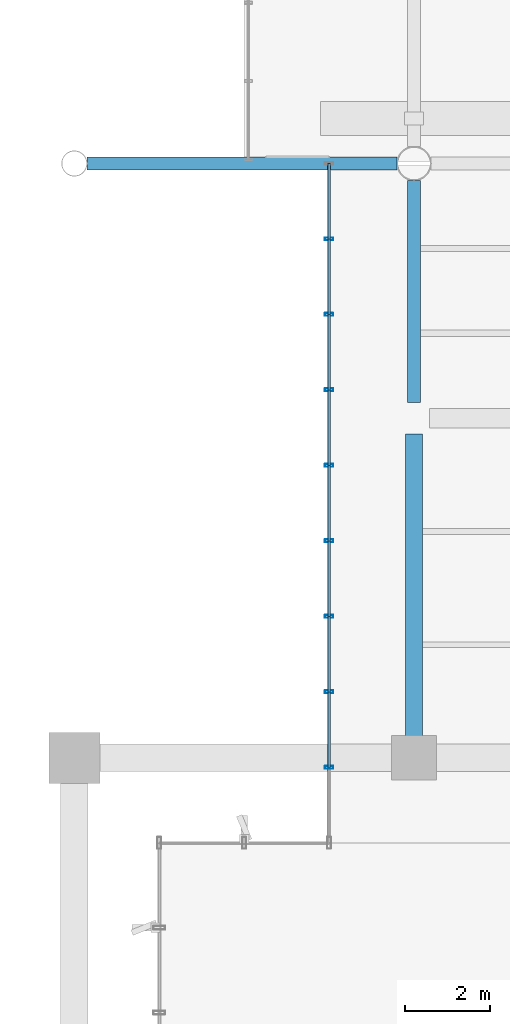
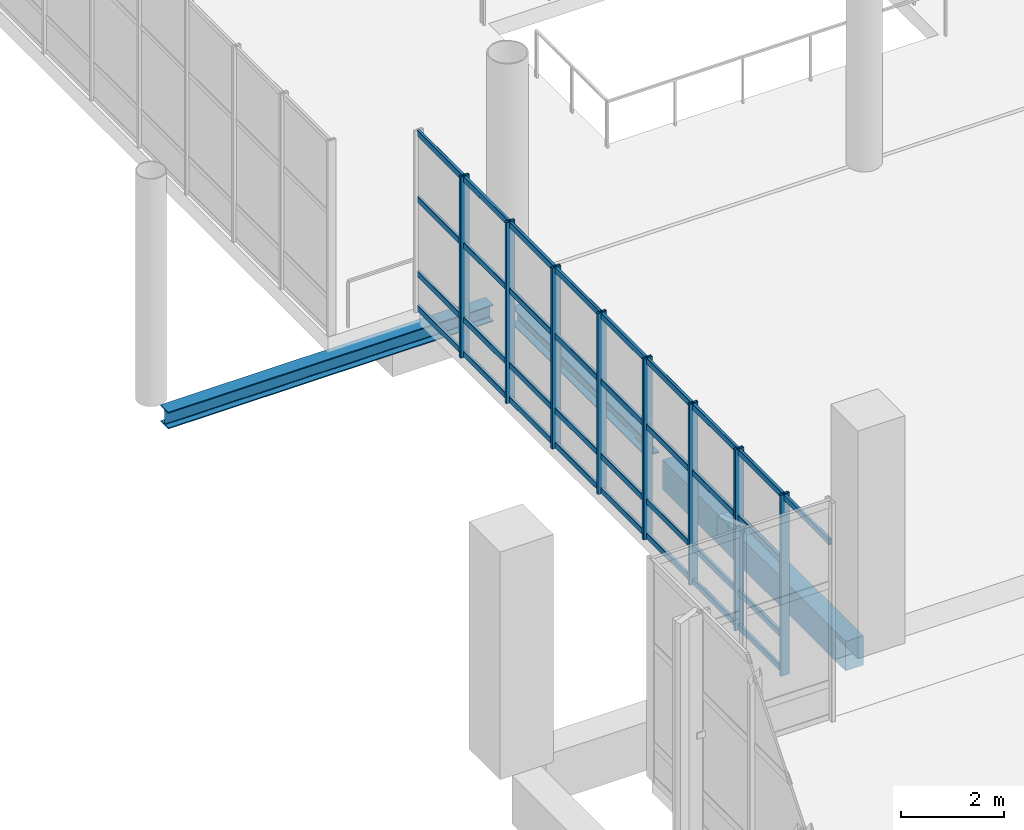
# One storey, part 49 of 176: 41 members, 3 beams, 1 element without a shape of its own.
"""IFC4 building model written with IfcOpenShell, lengths in metres."""

from ifc_helpers import new_model, si_unit, direction, frame, origin, origin_2d, place, context, subcontext, project, spatial, rectangle, hollow_rectangle, i_section, extrude, material, layer, layer_set, material_profile, profile_set, type_object, element, aggregate, save


model = new_model("IFC4")

# Units and contexts
model_context = context("Model", 3, precision=1e-05, world=origin(), true_north=direction((0.0, 1.0)))
body_context = subcontext(model_context, "Body", "Model", "MODEL_VIEW")
ifc_project = project(units=[si_unit("LENGTHUNIT", "METRE"), si_unit("AREAUNIT", "SQUARE_METRE"), si_unit("VOLUMEUNIT", "CUBIC_METRE"), si_unit("PLANEANGLEUNIT", "RADIAN"), si_unit("MASSUNIT", "GRAM", prefix="KILO")], contexts=[model_context])

# Site, building, storey
site_placement = place(None, origin())
site = spatial("IfcSite", under=ifc_project, at=site_placement, CompositionType="ELEMENT")
building_placement = place(site_placement, origin())
building = spatial("IfcBuilding", under=site, at=building_placement, Name="Khorjan Park Terminus", CompositionType="ELEMENT")
storey_placement = place(building_placement, frame((0.0, 0.0, 6.0)))
storey = spatial("IfcBuildingStorey", under=building, at=storey_placement, Name="L01", CompositionType="ELEMENT", Elevation=6.0)

# Beams
ifc_material_1 = material(Name="Steel S355", Category="steel")
ifc_material_profile_1 = material_profile(ifc_material_1, i_section(OverallWidth=0.3, OverallDepth=0.4, WebThickness=0.0135, FlangeThickness=0.024, FilletRadius=0.027, at=origin_2d()), Name="HEB 400")
ifc_profile_set_1 = profile_set([ifc_material_profile_1], Name="Steel S355")
beam_type_1 = type_object("IfcBeamType", Name="BM-HEB400", PredefinedType="BEAM", material=ifc_profile_set_1)
beam_1_placement = place(storey_placement, frame((48.3, 102.0, -0.56), z_axis=(1.0, 0.0, 0.0), x_axis=(0.0, 1.0, 0.0)))
element("IfcBeam", 1, at=beam_1_placement, inside=storey, type_object=beam_type_1, Name="Primary floor girder SB-B40 (L01)", PredefinedType="BEAM", context=body_context, shape_type="SweptSolid", body=[
    extrude(i_section(OverallWidth=0.3, OverallDepth=0.4, WebThickness=0.0135, FlangeThickness=0.024, FilletRadius=0.027, at=origin_2d()), origin(), (0.0, 0.0, 1.0), 7.2985),
])
beam_2_placement = place(storey_placement, frame((56.0, 96.37, -0.54), z_axis=(0.0, 1.0, 0.0), x_axis=(-1.0, 0.0, 0.0)))
element("IfcBeam", 2, at=beam_2_placement, inside=storey, type_object=beam_type_1, Name="Primary floor girder SB-B40 (L01)", PredefinedType="BEAM", context=body_context, shape_type="SweptSolid", body=[
    extrude(i_section(OverallWidth=0.3, OverallDepth=0.4, WebThickness=0.0135, FlangeThickness=0.024, FilletRadius=0.027, at=origin_2d()), origin(), (0.0, 0.0, 1.0), 5.2285),
])
ifc_material_2 = material(Name="Concrete C40/50", Category="concrete")
ifc_material_profile_2 = material_profile(ifc_material_2, rectangle(XDim=0.4, YDim=0.7, at=origin_2d()), Name="RC 400x700")
ifc_profile_set_2 = profile_set([ifc_material_profile_2], Name="Concrete C40/50")
beam_type_2 = type_object("IfcBeamType", Name="BM-RC400x700", PredefinedType="BEAM", material=ifc_profile_set_2)
beam_3_placement = place(storey_placement, frame((56.0, 88.52, -0.69), z_axis=(0.0, 1.0, 0.0), x_axis=(-1.0, 0.0, 0.0)))
element("IfcBeam", 3, at=beam_3_placement, inside=storey, type_object=beam_type_2, Name="Primary floor girder GB-07 (L01)", PredefinedType="BEAM", context=body_context, shape_type="SweptSolid", body=[
    extrude(rectangle(XDim=0.4, YDim=0.7, at=origin_2d()), origin(), (0.0, 0.0, 1.0), 7.11),
])

# Curtain wall, members
ifc_material_3 = material(Name="Anodized Bronze Aluminium", Category="aluminium")
ifc_layer = layer(ifc_material_3, 0.22)
ifc_layer_set = layer_set([ifc_layer], Name="Anodized Bronze Aluminium")
curtain_wall_type = type_object("IfcCurtainWallType", Name="CW-BRG-D", PredefinedType="NOTDEFINED", material=ifc_layer_set)
curtain_wall_placement = place(storey_placement, origin())
curtain_wall = element("IfcCurtainWall", 4, at=curtain_wall_placement, inside=storey, type_object=curtain_wall_type, Name="Unitized curtain wall CW-D (CW-NKW-W-L01)", PredefinedType="NOTDEFINED")
ifc_material_profile_3 = material_profile(ifc_material_3, hollow_rectangle(XDim=0.07, YDim=0.2, WallThickness=0.005, InnerFilletRadius=0.005, OuterFilletRadius=0.01, at=origin_2d()), Name="ALM 70x200x5")
ifc_profile_set_3 = profile_set([ifc_material_profile_3], Name="Anodized Bronze Aluminium")
member_type_1 = type_object("IfcMemberType", Name="ML-ALM-200", PredefinedType="MULLION", material=ifc_profile_set_3)
member_1_placement = place(storey_placement, frame((54.0, 100.2222, -0.035), z_axis=(0.0, 0.0, 1.0), x_axis=(0.0, -1.0, 0.0)))
member_1 = element("IfcMember", 5, at=member_1_placement, type_object=member_type_1, Name="Curtain-wall mullion ML-20 (CW-NKW-W-L01-1)", PredefinedType="MULLION", context=body_context, shape_type="SweptSolid", body=[
    extrude(hollow_rectangle(XDim=0.07, YDim=0.2, WallThickness=0.005, InnerFilletRadius=0.005, OuterFilletRadius=0.01, at=origin_2d()), origin(), (0.0, 0.0, 1.0), 4.295),
])
member_2_placement = place(storey_placement, frame((54.0, 98.4444, -0.035), z_axis=(0.0, 0.0, 1.0), x_axis=(0.0, -1.0, 0.0)))
member_2 = element("IfcMember", 6, at=member_2_placement, type_object=member_type_1, Name="Curtain-wall mullion ML-20 (CW-NKW-W-L01-2)", PredefinedType="MULLION", context=body_context, shape_type="SweptSolid", body=[
    extrude(hollow_rectangle(XDim=0.07, YDim=0.2, WallThickness=0.005, InnerFilletRadius=0.005, OuterFilletRadius=0.01, at=origin_2d()), origin(), (0.0, 0.0, 1.0), 4.295),
])
member_3_placement = place(storey_placement, frame((54.0, 96.6667, -0.035), z_axis=(0.0, 0.0, 1.0), x_axis=(0.0, -1.0, 0.0)))
member_3 = element("IfcMember", 7, at=member_3_placement, type_object=member_type_1, Name="Curtain-wall mullion ML-20 (CW-NKW-W-L01-3)", PredefinedType="MULLION", context=body_context, shape_type="SweptSolid", body=[
    extrude(hollow_rectangle(XDim=0.07, YDim=0.2, WallThickness=0.005, InnerFilletRadius=0.005, OuterFilletRadius=0.01, at=origin_2d()), origin(), (0.0, 0.0, 1.0), 4.295),
])
member_4_placement = place(storey_placement, frame((54.0, 94.8889, -0.035), z_axis=(0.0, 0.0, 1.0), x_axis=(0.0, -1.0, 0.0)))
member_4 = element("IfcMember", 8, at=member_4_placement, type_object=member_type_1, Name="Curtain-wall mullion ML-20 (CW-NKW-W-L01-4)", PredefinedType="MULLION", context=body_context, shape_type="SweptSolid", body=[
    extrude(hollow_rectangle(XDim=0.07, YDim=0.2, WallThickness=0.005, InnerFilletRadius=0.005, OuterFilletRadius=0.01, at=origin_2d()), origin(), (0.0, 0.0, 1.0), 4.295),
])
member_5_placement = place(storey_placement, frame((54.0, 93.1111, -0.035), z_axis=(0.0, 0.0, 1.0), x_axis=(0.0, -1.0, 0.0)))
member_5 = element("IfcMember", 9, at=member_5_placement, type_object=member_type_1, Name="Curtain-wall mullion ML-20 (CW-NKW-W-L01-5)", PredefinedType="MULLION", context=body_context, shape_type="SweptSolid", body=[
    extrude(hollow_rectangle(XDim=0.07, YDim=0.2, WallThickness=0.005, InnerFilletRadius=0.005, OuterFilletRadius=0.01, at=origin_2d()), origin(), (0.0, 0.0, 1.0), 4.295),
])
member_6_placement = place(storey_placement, frame((54.0, 91.3333, -0.035), z_axis=(0.0, 0.0, 1.0), x_axis=(0.0, -1.0, 0.0)))
member_6 = element("IfcMember", 10, at=member_6_placement, type_object=member_type_1, Name="Curtain-wall mullion ML-20 (CW-NKW-W-L01-6)", PredefinedType="MULLION", context=body_context, shape_type="SweptSolid", body=[
    extrude(hollow_rectangle(XDim=0.07, YDim=0.2, WallThickness=0.005, InnerFilletRadius=0.005, OuterFilletRadius=0.01, at=origin_2d()), origin(), (0.0, 0.0, 1.0), 4.295),
])
member_7_placement = place(storey_placement, frame((54.0, 89.5556, -0.035), z_axis=(0.0, 0.0, 1.0), x_axis=(0.0, -1.0, 0.0)))
member_7 = element("IfcMember", 11, at=member_7_placement, type_object=member_type_1, Name="Curtain-wall mullion ML-20 (CW-NKW-W-L01-7)", PredefinedType="MULLION", context=body_context, shape_type="SweptSolid", body=[
    extrude(hollow_rectangle(XDim=0.07, YDim=0.2, WallThickness=0.005, InnerFilletRadius=0.005, OuterFilletRadius=0.01, at=origin_2d()), origin(), (0.0, 0.0, 1.0), 4.295),
])
member_8_placement = place(storey_placement, frame((54.0, 87.7778, -0.035), z_axis=(0.0, 0.0, 1.0), x_axis=(0.0, -1.0, 0.0)))
member_8 = element("IfcMember", 12, at=member_8_placement, type_object=member_type_1, Name="Curtain-wall mullion ML-20 (CW-NKW-W-L01-8)", PredefinedType="MULLION", context=body_context, shape_type="SweptSolid", body=[
    extrude(hollow_rectangle(XDim=0.07, YDim=0.2, WallThickness=0.005, InnerFilletRadius=0.005, OuterFilletRadius=0.01, at=origin_2d()), origin(), (0.0, 0.0, 1.0), 4.295),
])
ifc_material_profile_4 = material_profile(ifc_material_3, hollow_rectangle(XDim=0.065, YDim=0.14, WallThickness=0.004, InnerFilletRadius=0.004, OuterFilletRadius=0.008, at=origin_2d()), Name="ALT 65x140x4")
ifc_profile_set_4 = profile_set([ifc_material_profile_4], Name="Anodized Bronze Aluminium")
member_type_2 = type_object("IfcMemberType", Name="TR-ALT-140", PredefinedType="USERDEFINED", material=ifc_profile_set_4)
member_9_placement = place(storey_placement, frame((54.0, 102.0, 0.04), z_axis=(0.0, -1.0, 0.0), x_axis=(1.0, 0.0, 0.0)))
member_9 = element("IfcMember", 13, at=member_9_placement, type_object=member_type_2, Name="Curtain-wall transom TR-14 (CW-NKW-W-L01-0-1)", ObjectType="TRANSOM", PredefinedType="USERDEFINED", context=body_context, shape_type="SweptSolid", body=[
    extrude(hollow_rectangle(XDim=0.065, YDim=0.14, WallThickness=0.004, InnerFilletRadius=0.004, OuterFilletRadius=0.008, at=origin_2d()), origin(), (0.0, 0.0, 1.0), 1.7778),
])
member_10_placement = place(storey_placement, frame((54.0, 102.0, 0.85), z_axis=(0.0, -1.0, 0.0), x_axis=(1.0, 0.0, 0.0)))
member_10 = element("IfcMember", 14, at=member_10_placement, type_object=member_type_2, Name="Curtain-wall transom TR-14 (CW-NKW-W-L01-0-2)", ObjectType="TRANSOM", PredefinedType="USERDEFINED", context=body_context, shape_type="SweptSolid", body=[
    extrude(hollow_rectangle(XDim=0.065, YDim=0.14, WallThickness=0.004, InnerFilletRadius=0.004, OuterFilletRadius=0.008, at=origin_2d()), origin(), (0.0, 0.0, 1.0), 1.7778),
])
member_11_placement = place(storey_placement, frame((54.0, 102.0, 2.6195), z_axis=(0.0, -1.0, 0.0), x_axis=(1.0, 0.0, 0.0)))
member_11 = element("IfcMember", 15, at=member_11_placement, type_object=member_type_2, Name="Curtain-wall transom TR-14 (CW-NKW-W-L01-0-3)", ObjectType="TRANSOM", PredefinedType="USERDEFINED", context=body_context, shape_type="SweptSolid", body=[
    extrude(hollow_rectangle(XDim=0.065, YDim=0.14, WallThickness=0.004, InnerFilletRadius=0.004, OuterFilletRadius=0.008, at=origin_2d()), origin(), (0.0, 0.0, 1.0), 1.7778),
])
member_12_placement = place(storey_placement, frame((54.0, 102.0, 4.185), z_axis=(0.0, -1.0, 0.0), x_axis=(1.0, 0.0, 0.0)))
member_12 = element("IfcMember", 16, at=member_12_placement, type_object=member_type_2, Name="Curtain-wall transom TR-14 (CW-NKW-W-L01-0-4)", ObjectType="TRANSOM", PredefinedType="USERDEFINED", context=body_context, shape_type="SweptSolid", body=[
    extrude(hollow_rectangle(XDim=0.065, YDim=0.14, WallThickness=0.004, InnerFilletRadius=0.004, OuterFilletRadius=0.008, at=origin_2d()), origin(), (0.0, 0.0, 1.0), 1.7778),
])
member_13_placement = place(storey_placement, frame((54.0, 100.2222, 0.04), z_axis=(0.0, -1.0, 0.0), x_axis=(1.0, 0.0, 0.0)))
member_13 = element("IfcMember", 17, at=member_13_placement, type_object=member_type_2, Name="Curtain-wall transom TR-14 (CW-NKW-W-L01-1-1)", ObjectType="TRANSOM", PredefinedType="USERDEFINED", context=body_context, shape_type="SweptSolid", body=[
    extrude(hollow_rectangle(XDim=0.065, YDim=0.14, WallThickness=0.004, InnerFilletRadius=0.004, OuterFilletRadius=0.008, at=origin_2d()), origin(), (0.0, 0.0, 1.0), 1.7778),
])
member_14_placement = place(storey_placement, frame((54.0, 100.2222, 0.85), z_axis=(0.0, -1.0, 0.0), x_axis=(1.0, 0.0, 0.0)))
member_14 = element("IfcMember", 18, at=member_14_placement, type_object=member_type_2, Name="Curtain-wall transom TR-14 (CW-NKW-W-L01-1-2)", ObjectType="TRANSOM", PredefinedType="USERDEFINED", context=body_context, shape_type="SweptSolid", body=[
    extrude(hollow_rectangle(XDim=0.065, YDim=0.14, WallThickness=0.004, InnerFilletRadius=0.004, OuterFilletRadius=0.008, at=origin_2d()), origin(), (0.0, 0.0, 1.0), 1.7778),
])
member_15_placement = place(storey_placement, frame((54.0, 100.2222, 2.6195), z_axis=(0.0, -1.0, 0.0), x_axis=(1.0, 0.0, 0.0)))
member_15 = element("IfcMember", 19, at=member_15_placement, type_object=member_type_2, Name="Curtain-wall transom TR-14 (CW-NKW-W-L01-1-3)", ObjectType="TRANSOM", PredefinedType="USERDEFINED", context=body_context, shape_type="SweptSolid", body=[
    extrude(hollow_rectangle(XDim=0.065, YDim=0.14, WallThickness=0.004, InnerFilletRadius=0.004, OuterFilletRadius=0.008, at=origin_2d()), origin(), (0.0, 0.0, 1.0), 1.7778),
])
member_16_placement = place(storey_placement, frame((54.0, 100.2222, 4.185), z_axis=(0.0, -1.0, 0.0), x_axis=(1.0, 0.0, 0.0)))
member_16 = element("IfcMember", 20, at=member_16_placement, type_object=member_type_2, Name="Curtain-wall transom TR-14 (CW-NKW-W-L01-1-4)", ObjectType="TRANSOM", PredefinedType="USERDEFINED", context=body_context, shape_type="SweptSolid", body=[
    extrude(hollow_rectangle(XDim=0.065, YDim=0.14, WallThickness=0.004, InnerFilletRadius=0.004, OuterFilletRadius=0.008, at=origin_2d()), origin(), (0.0, 0.0, 1.0), 1.7778),
])
member_17_placement = place(storey_placement, frame((54.0, 98.4444, 0.04), z_axis=(0.0, -1.0, 0.0), x_axis=(1.0, 0.0, 0.0)))
member_17 = element("IfcMember", 21, at=member_17_placement, type_object=member_type_2, Name="Curtain-wall transom TR-14 (CW-NKW-W-L01-2-1)", ObjectType="TRANSOM", PredefinedType="USERDEFINED", context=body_context, shape_type="SweptSolid", body=[
    extrude(hollow_rectangle(XDim=0.065, YDim=0.14, WallThickness=0.004, InnerFilletRadius=0.004, OuterFilletRadius=0.008, at=origin_2d()), origin(), (0.0, 0.0, 1.0), 1.7777),
])
member_18_placement = place(storey_placement, frame((54.0, 98.4444, 0.85), z_axis=(0.0, -1.0, 0.0), x_axis=(1.0, 0.0, 0.0)))
member_18 = element("IfcMember", 22, at=member_18_placement, type_object=member_type_2, Name="Curtain-wall transom TR-14 (CW-NKW-W-L01-2-2)", ObjectType="TRANSOM", PredefinedType="USERDEFINED", context=body_context, shape_type="SweptSolid", body=[
    extrude(hollow_rectangle(XDim=0.065, YDim=0.14, WallThickness=0.004, InnerFilletRadius=0.004, OuterFilletRadius=0.008, at=origin_2d()), origin(), (0.0, 0.0, 1.0), 1.7777),
])
member_19_placement = place(storey_placement, frame((54.0, 98.4444, 2.6195), z_axis=(0.0, -1.0, 0.0), x_axis=(1.0, 0.0, 0.0)))
member_19 = element("IfcMember", 23, at=member_19_placement, type_object=member_type_2, Name="Curtain-wall transom TR-14 (CW-NKW-W-L01-2-3)", ObjectType="TRANSOM", PredefinedType="USERDEFINED", context=body_context, shape_type="SweptSolid", body=[
    extrude(hollow_rectangle(XDim=0.065, YDim=0.14, WallThickness=0.004, InnerFilletRadius=0.004, OuterFilletRadius=0.008, at=origin_2d()), origin(), (0.0, 0.0, 1.0), 1.7777),
])
member_20_placement = place(storey_placement, frame((54.0, 98.4444, 4.185), z_axis=(0.0, -1.0, 0.0), x_axis=(1.0, 0.0, 0.0)))
member_20 = element("IfcMember", 24, at=member_20_placement, type_object=member_type_2, Name="Curtain-wall transom TR-14 (CW-NKW-W-L01-2-4)", ObjectType="TRANSOM", PredefinedType="USERDEFINED", context=body_context, shape_type="SweptSolid", body=[
    extrude(hollow_rectangle(XDim=0.065, YDim=0.14, WallThickness=0.004, InnerFilletRadius=0.004, OuterFilletRadius=0.008, at=origin_2d()), origin(), (0.0, 0.0, 1.0), 1.7777),
])
member_21_placement = place(storey_placement, frame((54.0, 96.6667, 0.04), z_axis=(0.0, -1.0, 0.0), x_axis=(1.0, 0.0, 0.0)))
member_21 = element("IfcMember", 25, at=member_21_placement, type_object=member_type_2, Name="Curtain-wall transom TR-14 (CW-NKW-W-L01-3-1)", ObjectType="TRANSOM", PredefinedType="USERDEFINED", context=body_context, shape_type="SweptSolid", body=[
    extrude(hollow_rectangle(XDim=0.065, YDim=0.14, WallThickness=0.004, InnerFilletRadius=0.004, OuterFilletRadius=0.008, at=origin_2d()), origin(), (0.0, 0.0, 1.0), 1.7778),
])
member_22_placement = place(storey_placement, frame((54.0, 96.6667, 0.85), z_axis=(0.0, -1.0, 0.0), x_axis=(1.0, 0.0, 0.0)))
member_22 = element("IfcMember", 26, at=member_22_placement, type_object=member_type_2, Name="Curtain-wall transom TR-14 (CW-NKW-W-L01-3-2)", ObjectType="TRANSOM", PredefinedType="USERDEFINED", context=body_context, shape_type="SweptSolid", body=[
    extrude(hollow_rectangle(XDim=0.065, YDim=0.14, WallThickness=0.004, InnerFilletRadius=0.004, OuterFilletRadius=0.008, at=origin_2d()), origin(), (0.0, 0.0, 1.0), 1.7778),
])
member_23_placement = place(storey_placement, frame((54.0, 96.6667, 2.6195), z_axis=(0.0, -1.0, 0.0), x_axis=(1.0, 0.0, 0.0)))
member_23 = element("IfcMember", 27, at=member_23_placement, type_object=member_type_2, Name="Curtain-wall transom TR-14 (CW-NKW-W-L01-3-3)", ObjectType="TRANSOM", PredefinedType="USERDEFINED", context=body_context, shape_type="SweptSolid", body=[
    extrude(hollow_rectangle(XDim=0.065, YDim=0.14, WallThickness=0.004, InnerFilletRadius=0.004, OuterFilletRadius=0.008, at=origin_2d()), origin(), (0.0, 0.0, 1.0), 1.7778),
])
member_24_placement = place(storey_placement, frame((54.0, 96.6667, 4.185), z_axis=(0.0, -1.0, 0.0), x_axis=(1.0, 0.0, 0.0)))
member_24 = element("IfcMember", 28, at=member_24_placement, type_object=member_type_2, Name="Curtain-wall transom TR-14 (CW-NKW-W-L01-3-4)", ObjectType="TRANSOM", PredefinedType="USERDEFINED", context=body_context, shape_type="SweptSolid", body=[
    extrude(hollow_rectangle(XDim=0.065, YDim=0.14, WallThickness=0.004, InnerFilletRadius=0.004, OuterFilletRadius=0.008, at=origin_2d()), origin(), (0.0, 0.0, 1.0), 1.7778),
])
member_25_placement = place(storey_placement, frame((54.0, 94.8889, 0.04), z_axis=(0.0, -1.0, 0.0), x_axis=(1.0, 0.0, 0.0)))
member_25 = element("IfcMember", 29, at=member_25_placement, type_object=member_type_2, Name="Curtain-wall transom TR-14 (CW-NKW-W-L01-4-1)", ObjectType="TRANSOM", PredefinedType="USERDEFINED", context=body_context, shape_type="SweptSolid", body=[
    extrude(hollow_rectangle(XDim=0.065, YDim=0.14, WallThickness=0.004, InnerFilletRadius=0.004, OuterFilletRadius=0.008, at=origin_2d()), origin(), (0.0, 0.0, 1.0), 1.7778),
])
member_26_placement = place(storey_placement, frame((54.0, 94.8889, 0.85), z_axis=(0.0, -1.0, 0.0), x_axis=(1.0, 0.0, 0.0)))
member_26 = element("IfcMember", 30, at=member_26_placement, type_object=member_type_2, Name="Curtain-wall transom TR-14 (CW-NKW-W-L01-4-2)", ObjectType="TRANSOM", PredefinedType="USERDEFINED", context=body_context, shape_type="SweptSolid", body=[
    extrude(hollow_rectangle(XDim=0.065, YDim=0.14, WallThickness=0.004, InnerFilletRadius=0.004, OuterFilletRadius=0.008, at=origin_2d()), origin(), (0.0, 0.0, 1.0), 1.7778),
])
member_27_placement = place(storey_placement, frame((54.0, 94.8889, 2.6195), z_axis=(0.0, -1.0, 0.0), x_axis=(1.0, 0.0, 0.0)))
member_27 = element("IfcMember", 31, at=member_27_placement, type_object=member_type_2, Name="Curtain-wall transom TR-14 (CW-NKW-W-L01-4-3)", ObjectType="TRANSOM", PredefinedType="USERDEFINED", context=body_context, shape_type="SweptSolid", body=[
    extrude(hollow_rectangle(XDim=0.065, YDim=0.14, WallThickness=0.004, InnerFilletRadius=0.004, OuterFilletRadius=0.008, at=origin_2d()), origin(), (0.0, 0.0, 1.0), 1.7778),
])
member_28_placement = place(storey_placement, frame((54.0, 94.8889, 4.185), z_axis=(0.0, -1.0, 0.0), x_axis=(1.0, 0.0, 0.0)))
member_28 = element("IfcMember", 32, at=member_28_placement, type_object=member_type_2, Name="Curtain-wall transom TR-14 (CW-NKW-W-L01-4-4)", ObjectType="TRANSOM", PredefinedType="USERDEFINED", context=body_context, shape_type="SweptSolid", body=[
    extrude(hollow_rectangle(XDim=0.065, YDim=0.14, WallThickness=0.004, InnerFilletRadius=0.004, OuterFilletRadius=0.008, at=origin_2d()), origin(), (0.0, 0.0, 1.0), 1.7778),
])
member_29_placement = place(storey_placement, frame((54.0, 93.1111, 0.04), z_axis=(0.0, -1.0, 0.0), x_axis=(1.0, 0.0, 0.0)))
member_29 = element("IfcMember", 33, at=member_29_placement, type_object=member_type_2, Name="Curtain-wall transom TR-14 (CW-NKW-W-L01-5-1)", ObjectType="TRANSOM", PredefinedType="USERDEFINED", context=body_context, shape_type="SweptSolid", body=[
    extrude(hollow_rectangle(XDim=0.065, YDim=0.14, WallThickness=0.004, InnerFilletRadius=0.004, OuterFilletRadius=0.008, at=origin_2d()), origin(), (0.0, 0.0, 1.0), 1.7778),
])
member_30_placement = place(storey_placement, frame((54.0, 93.1111, 0.85), z_axis=(0.0, -1.0, 0.0), x_axis=(1.0, 0.0, 0.0)))
member_30 = element("IfcMember", 34, at=member_30_placement, type_object=member_type_2, Name="Curtain-wall transom TR-14 (CW-NKW-W-L01-5-2)", ObjectType="TRANSOM", PredefinedType="USERDEFINED", context=body_context, shape_type="SweptSolid", body=[
    extrude(hollow_rectangle(XDim=0.065, YDim=0.14, WallThickness=0.004, InnerFilletRadius=0.004, OuterFilletRadius=0.008, at=origin_2d()), origin(), (0.0, 0.0, 1.0), 1.7778),
])
member_31_placement = place(storey_placement, frame((54.0, 93.1111, 2.6195), z_axis=(0.0, -1.0, 0.0), x_axis=(1.0, 0.0, 0.0)))
member_31 = element("IfcMember", 35, at=member_31_placement, type_object=member_type_2, Name="Curtain-wall transom TR-14 (CW-NKW-W-L01-5-3)", ObjectType="TRANSOM", PredefinedType="USERDEFINED", context=body_context, shape_type="SweptSolid", body=[
    extrude(hollow_rectangle(XDim=0.065, YDim=0.14, WallThickness=0.004, InnerFilletRadius=0.004, OuterFilletRadius=0.008, at=origin_2d()), origin(), (0.0, 0.0, 1.0), 1.7778),
])
member_32_placement = place(storey_placement, frame((54.0, 93.1111, 4.185), z_axis=(0.0, -1.0, 0.0), x_axis=(1.0, 0.0, 0.0)))
member_32 = element("IfcMember", 36, at=member_32_placement, type_object=member_type_2, Name="Curtain-wall transom TR-14 (CW-NKW-W-L01-5-4)", ObjectType="TRANSOM", PredefinedType="USERDEFINED", context=body_context, shape_type="SweptSolid", body=[
    extrude(hollow_rectangle(XDim=0.065, YDim=0.14, WallThickness=0.004, InnerFilletRadius=0.004, OuterFilletRadius=0.008, at=origin_2d()), origin(), (0.0, 0.0, 1.0), 1.7778),
])
member_33_placement = place(storey_placement, frame((54.0, 91.3333, 0.04), z_axis=(0.0, -1.0, 0.0), x_axis=(1.0, 0.0, 0.0)))
member_33 = element("IfcMember", 37, at=member_33_placement, type_object=member_type_2, Name="Curtain-wall transom TR-14 (CW-NKW-W-L01-6-1)", ObjectType="TRANSOM", PredefinedType="USERDEFINED", context=body_context, shape_type="SweptSolid", body=[
    extrude(hollow_rectangle(XDim=0.065, YDim=0.14, WallThickness=0.004, InnerFilletRadius=0.004, OuterFilletRadius=0.008, at=origin_2d()), origin(), (0.0, 0.0, 1.0), 1.7777),
])
member_34_placement = place(storey_placement, frame((54.0, 91.3333, 0.85), z_axis=(0.0, -1.0, 0.0), x_axis=(1.0, 0.0, 0.0)))
member_34 = element("IfcMember", 38, at=member_34_placement, type_object=member_type_2, Name="Curtain-wall transom TR-14 (CW-NKW-W-L01-6-2)", ObjectType="TRANSOM", PredefinedType="USERDEFINED", context=body_context, shape_type="SweptSolid", body=[
    extrude(hollow_rectangle(XDim=0.065, YDim=0.14, WallThickness=0.004, InnerFilletRadius=0.004, OuterFilletRadius=0.008, at=origin_2d()), origin(), (0.0, 0.0, 1.0), 1.7777),
])
member_35_placement = place(storey_placement, frame((54.0, 91.3333, 2.6195), z_axis=(0.0, -1.0, 0.0), x_axis=(1.0, 0.0, 0.0)))
member_35 = element("IfcMember", 39, at=member_35_placement, type_object=member_type_2, Name="Curtain-wall transom TR-14 (CW-NKW-W-L01-6-3)", ObjectType="TRANSOM", PredefinedType="USERDEFINED", context=body_context, shape_type="SweptSolid", body=[
    extrude(hollow_rectangle(XDim=0.065, YDim=0.14, WallThickness=0.004, InnerFilletRadius=0.004, OuterFilletRadius=0.008, at=origin_2d()), origin(), (0.0, 0.0, 1.0), 1.7777),
])
member_36_placement = place(storey_placement, frame((54.0, 91.3333, 4.185), z_axis=(0.0, -1.0, 0.0), x_axis=(1.0, 0.0, 0.0)))
member_36 = element("IfcMember", 40, at=member_36_placement, type_object=member_type_2, Name="Curtain-wall transom TR-14 (CW-NKW-W-L01-6-4)", ObjectType="TRANSOM", PredefinedType="USERDEFINED", context=body_context, shape_type="SweptSolid", body=[
    extrude(hollow_rectangle(XDim=0.065, YDim=0.14, WallThickness=0.004, InnerFilletRadius=0.004, OuterFilletRadius=0.008, at=origin_2d()), origin(), (0.0, 0.0, 1.0), 1.7777),
])
member_37_placement = place(storey_placement, frame((54.0, 89.5556, 0.04), z_axis=(0.0, -1.0, 0.0), x_axis=(1.0, 0.0, 0.0)))
member_37 = element("IfcMember", 41, at=member_37_placement, type_object=member_type_2, Name="Curtain-wall transom TR-14 (CW-NKW-W-L01-7-1)", ObjectType="TRANSOM", PredefinedType="USERDEFINED", context=body_context, shape_type="SweptSolid", body=[
    extrude(hollow_rectangle(XDim=0.065, YDim=0.14, WallThickness=0.004, InnerFilletRadius=0.004, OuterFilletRadius=0.008, at=origin_2d()), origin(), (0.0, 0.0, 1.0), 1.7778),
])
member_38_placement = place(storey_placement, frame((54.0, 89.5556, 0.85), z_axis=(0.0, -1.0, 0.0), x_axis=(1.0, 0.0, 0.0)))
member_38 = element("IfcMember", 42, at=member_38_placement, type_object=member_type_2, Name="Curtain-wall transom TR-14 (CW-NKW-W-L01-7-2)", ObjectType="TRANSOM", PredefinedType="USERDEFINED", context=body_context, shape_type="SweptSolid", body=[
    extrude(hollow_rectangle(XDim=0.065, YDim=0.14, WallThickness=0.004, InnerFilletRadius=0.004, OuterFilletRadius=0.008, at=origin_2d()), origin(), (0.0, 0.0, 1.0), 1.7778),
])
member_39_placement = place(storey_placement, frame((54.0, 89.5556, 2.6195), z_axis=(0.0, -1.0, 0.0), x_axis=(1.0, 0.0, 0.0)))
member_39 = element("IfcMember", 43, at=member_39_placement, type_object=member_type_2, Name="Curtain-wall transom TR-14 (CW-NKW-W-L01-7-3)", ObjectType="TRANSOM", PredefinedType="USERDEFINED", context=body_context, shape_type="SweptSolid", body=[
    extrude(hollow_rectangle(XDim=0.065, YDim=0.14, WallThickness=0.004, InnerFilletRadius=0.004, OuterFilletRadius=0.008, at=origin_2d()), origin(), (0.0, 0.0, 1.0), 1.7778),
])
member_40_placement = place(storey_placement, frame((54.0, 89.5556, 4.185), z_axis=(0.0, -1.0, 0.0), x_axis=(1.0, 0.0, 0.0)))
member_40 = element("IfcMember", 44, at=member_40_placement, type_object=member_type_2, Name="Curtain-wall transom TR-14 (CW-NKW-W-L01-7-4)", ObjectType="TRANSOM", PredefinedType="USERDEFINED", context=body_context, shape_type="SweptSolid", body=[
    extrude(hollow_rectangle(XDim=0.065, YDim=0.14, WallThickness=0.004, InnerFilletRadius=0.004, OuterFilletRadius=0.008, at=origin_2d()), origin(), (0.0, 0.0, 1.0), 1.7778),
])
member_41_placement = place(storey_placement, frame((54.0, 87.7778, 4.185), z_axis=(0.0, -1.0, 0.0), x_axis=(1.0, 0.0, 0.0)))
member_41 = element("IfcMember", 45, at=member_41_placement, type_object=member_type_2, Name="Curtain-wall transom TR-14 (CW-NKW-W-L01-8-4)", ObjectType="TRANSOM", PredefinedType="USERDEFINED", context=body_context, shape_type="SweptSolid", body=[
    extrude(hollow_rectangle(XDim=0.065, YDim=0.14, WallThickness=0.004, InnerFilletRadius=0.004, OuterFilletRadius=0.008, at=origin_2d()), origin(), (0.0, 0.0, 1.0), 1.7778),
])
aggregate(curtain_wall, [member_1, member_2, member_3, member_4, member_5, member_6, member_7, member_8, member_9, member_10, member_11, member_12, member_13, member_14, member_15, member_16, member_17, member_18, member_19, member_20, member_21, member_22, member_23, member_24, member_25, member_26, member_27, member_28, member_29, member_30, member_31, member_32, member_33, member_34, member_35, member_36, member_37, member_38, member_39, member_40, member_41])

save(model, "model.ifc")
